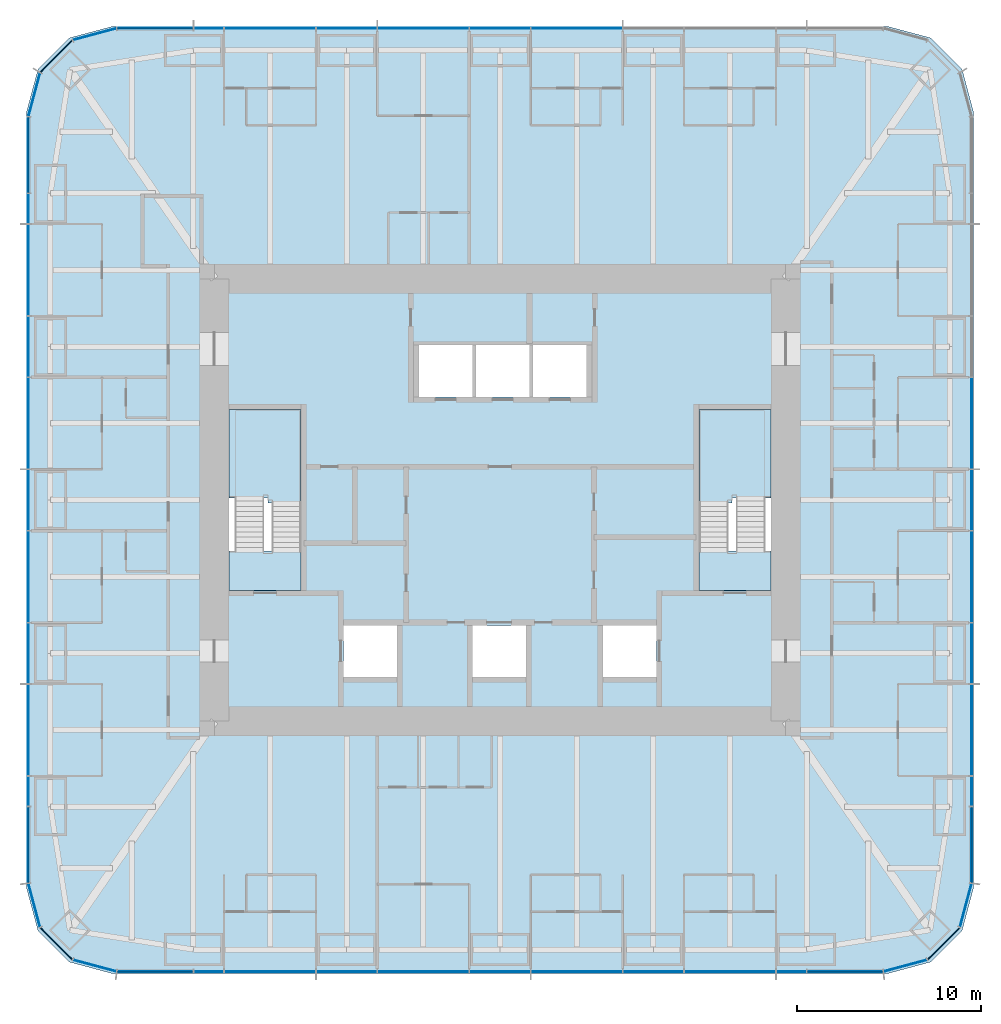
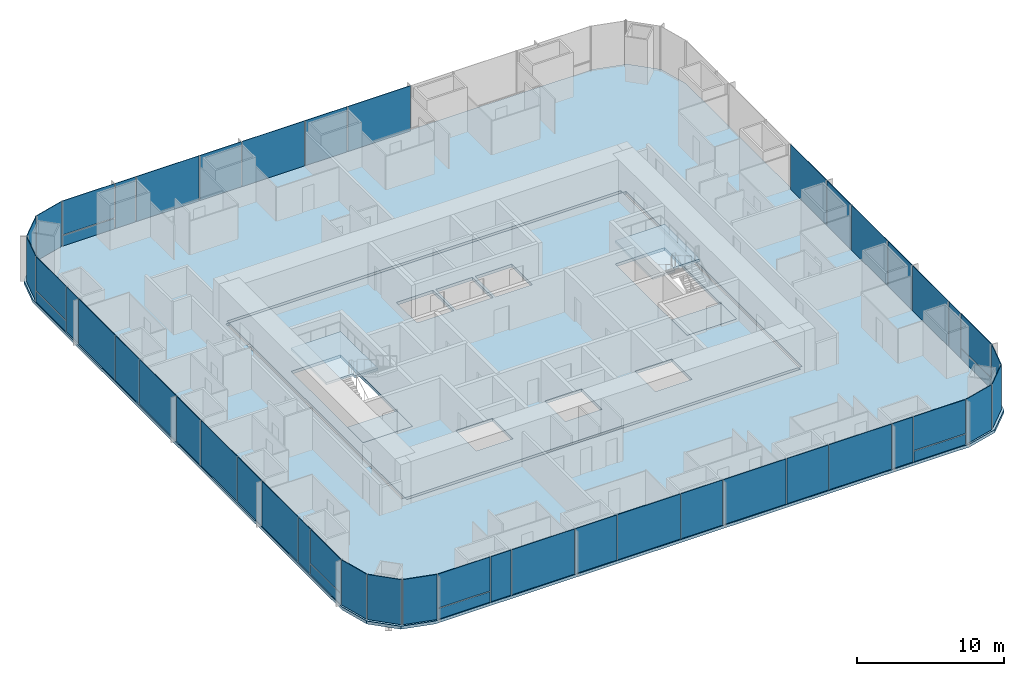
# One storey, part 7 of 13: 51 plates, 6 slabs, 9 elements without a shape of their own.
"""IFC4 building model written with IfcOpenShell, lengths in metres."""

from ifc_helpers import new_model, si_unit, direction, frame, origin, origin_2d, place, context, subcontext, project, spatial, polyline, rectangle, outline, extrude, material, layer, layer_set, type_object, element, aggregate, save


model = new_model("IFC4")

# Units and contexts
model_context = context("Model", 3, precision=1e-05, world=origin(), true_north=direction((0.0, 1.0)))
body_context = subcontext(model_context, "Body", "Model", "MODEL_VIEW")
ifc_project = project(units=[si_unit("LENGTHUNIT", "METRE"), si_unit("AREAUNIT", "SQUARE_METRE"), si_unit("VOLUMEUNIT", "CUBIC_METRE"), si_unit("PLANEANGLEUNIT", "RADIAN"), si_unit("MASSUNIT", "GRAM", prefix="KILO")], contexts=[model_context])

# Site, building, storey
site_placement = place(None, origin())
site = spatial("IfcSite", under=ifc_project, at=site_placement, CompositionType="ELEMENT")
building_placement = place(site_placement, origin())
building = spatial("IfcBuilding", under=site, at=building_placement, Name="Khuree Lantern Residences", CompositionType="ELEMENT")
storey_placement = place(building_placement, frame((0.0, 0.0, 263.25)))
storey = spatial("IfcBuildingStorey", under=building, at=storey_placement, Name="L66", CompositionType="ELEMENT", Elevation=263.25)

# Slab
ifc_material_1 = material(Name="Concrete C35/45", Category="concrete")
ifc_layer_1 = layer(ifc_material_1, 0.25)
ifc_layer_set_1 = layer_set([ifc_layer_1], Name="CFL250 CORE FLOOR SLAB 250")
slab_type_1 = type_object("IfcSlabType", Name="CFL250 CORE FLOOR SLAB 250", PredefinedType="FLOOR", material=ifc_layer_set_1)
slab_1_placement = place(storey_placement, frame((0.0, 0.0, -0.25)))
element("IfcSlab", 1, at=slab_1_placement, inside=storey, type_object=slab_type_1, Name="Core floor L66", PredefinedType="FLOOR", context=body_context, shape_type="SweptSolid", body=[
    extrude(outline(polyline([(-15.5, -12.0), (-15.5, 12.0), (15.5, 12.0), (15.5, -12.0), (-15.5, -12.0)]), holes=[polyline([(10.800048828125, 4.89990234375), (10.800048828125, -4.89990234375), (14.699951171875, -4.89990234375), (14.699951171875, 4.89990234375), (10.800048828125, 4.89990234375)]), polyline([(5.60009765625, -6.800048828125), (5.60009765625, -9.60009765625), (8.5, -9.60009765625), (8.5, -6.800048828125), (5.60009765625, -6.800048828125)]), polyline([(1.800048828125, 8.39990234375), (1.800048828125, 5.60009765625), (4.699951171875, 5.60009765625), (4.699951171875, 8.39990234375), (1.800048828125, 8.39990234375)]), polyline([(-1.300048828125, 8.39990234375), (-1.300048828125, 5.60009765625), (1.60009765625, 5.60009765625), (1.60009765625, 8.39990234375), (-1.300048828125, 8.39990234375)]), polyline([(-1.5, -6.800048828125), (-1.5, -9.60009765625), (1.39990234375, -9.60009765625), (1.39990234375, -6.800048828125), (-1.5, -6.800048828125)]), polyline([(-4.39990234375, 8.39990234375), (-4.39990234375, 5.60009765625), (-1.5, 5.60009765625), (-1.5, 8.39990234375), (-4.39990234375, 8.39990234375)]), polyline([(-8.5, -6.800048828125), (-8.5, -9.60009765625), (-5.60009765625, -9.60009765625), (-5.60009765625, -6.800048828125), (-8.5, -6.800048828125)]), polyline([(-14.699951171875, 4.89990234375), (-14.699951171875, -4.89990234375), (-10.800048828125, -4.89990234375), (-10.800048828125, 4.89990234375), (-14.699951171875, 4.89990234375)])]), origin(), (0.0, 0.0, 1.0), 0.25),
])

# Curtain wall, plates
ifc_material_2 = material(Name="Bronze anodised aluminium", Category="aluminium")
curtain_wall_type_1 = type_object("IfcCurtainWallType", Name="CW-T2 TOWER CORNER CURTAIN WALL", PredefinedType="USERDEFINED", material=ifc_material_2)
curtain_wall_1_placement = place(storey_placement, origin())
curtain_wall_1 = element("IfcCurtainWall", 2, at=curtain_wall_1_placement, inside=storey, type_object=curtain_wall_type_1, Name="L66 SOUTH-EAST CORNER CURTAIN WALL", ObjectType="Faceted corner curtain wall", PredefinedType="USERDEFINED")
ifc_material_3 = material(Name="Bronze tinted triple glazing", Category="glass")
ifc_layer_2 = layer(ifc_material_3, 0.048095703125)
ifc_layer_set_2 = layer_set([ifc_layer_2], Name="FACET PANEL P4")
plate_type_1 = type_object("IfcPlateType", Name="FACET PANEL P4", PredefinedType="CURTAIN_PANEL", material=ifc_layer_set_2)
plate_1_placement = place(storey_placement, frame((21.998046875, -25.279052734375, 0.0), z_axis=(0.0, 0.0, 1.0), x_axis=(0.965925832509, 0.258819021888, 0.0)))
plate_1 = element("IfcPlate", 3, at=plate_1_placement, type_object=plate_type_1, Name="L66 SOUTH-EAST CORNER PANEL 1.1", PredefinedType="CURTAIN_PANEL", context=body_context, shape_type="SweptSolid", body=[
    extrude(rectangle(XDim=2.40869140625, YDim=0.048095703125, at=origin_2d()), origin(), (0.0, 0.0, 1.0), 3.75),
])
plate_2_placement = place(storey_placement, frame((24.078369140625, -24.078369140625, 0.0), z_axis=(0.0, 0.0, 1.0), x_axis=(0.707106781187, 0.707106781187, 0.0)))
plate_2 = element("IfcPlate", 4, at=plate_2_placement, type_object=plate_type_1, Name="L66 SOUTH-EAST CORNER PANEL 2.1", PredefinedType="CURTAIN_PANEL", context=body_context, shape_type="SweptSolid", body=[
    extrude(rectangle(XDim=2.404541015625, YDim=0.048095703125, at=origin_2d()), origin(), (0.0, 0.0, 1.0), 3.75),
])
plate_3_placement = place(storey_placement, frame((25.279052734375, -21.998046875, 0.0), z_axis=(0.0, 0.0, 1.0), x_axis=(0.258819021888, 0.965925832509, 0.0)))
plate_3 = element("IfcPlate", 5, at=plate_3_placement, type_object=plate_type_1, Name="L66 SOUTH-EAST CORNER PANEL 3.1", PredefinedType="CURTAIN_PANEL", context=body_context, shape_type="SweptSolid", body=[
    extrude(rectangle(XDim=2.40869140625, YDim=0.048095703125, at=origin_2d()), origin(), (0.0, 0.0, 1.0), 3.75),
])
aggregate(curtain_wall_1, [plate_1, plate_2, plate_3])

curtain_wall_2_placement = place(storey_placement, origin())
curtain_wall_2 = element("IfcCurtainWall", 6, at=curtain_wall_2_placement, inside=storey, type_object=curtain_wall_type_1, Name="L66 NORTH-WEST CORNER CURTAIN WALL", ObjectType="Faceted corner curtain wall", PredefinedType="USERDEFINED")
plate_4_placement = place(storey_placement, frame((-21.998046875, 25.279052734375, 0.0), z_axis=(0.0, 0.0, 1.0), x_axis=(-0.965925832509, -0.258819021888, 0.0)))
plate_4 = element("IfcPlate", 7, at=plate_4_placement, type_object=plate_type_1, Name="L66 NORTH-WEST CORNER PANEL 29.1", PredefinedType="CURTAIN_PANEL", context=body_context, shape_type="SweptSolid", body=[
    extrude(rectangle(XDim=2.40869140625, YDim=0.048095703125, at=origin_2d()), origin(), (0.0, 0.0, 1.0), 3.75),
])
plate_5_placement = place(storey_placement, frame((-24.078369140625, 24.078369140625, 0.0), z_axis=(0.0, 0.0, 1.0), x_axis=(-0.707106781187, -0.707106781187, 0.0)))
plate_5 = element("IfcPlate", 8, at=plate_5_placement, type_object=plate_type_1, Name="L66 NORTH-WEST CORNER PANEL 30.1", PredefinedType="CURTAIN_PANEL", context=body_context, shape_type="SweptSolid", body=[
    extrude(rectangle(XDim=2.404541015625, YDim=0.048095703125, at=origin_2d()), origin(), (0.0, 0.0, 1.0), 3.75),
])
plate_6_placement = place(storey_placement, frame((-25.279052734375, 21.998046875, 0.0), z_axis=(0.0, 0.0, 1.0), x_axis=(-0.258819021888, -0.965925832509, 0.0)))
plate_6 = element("IfcPlate", 9, at=plate_6_placement, type_object=plate_type_1, Name="L66 NORTH-WEST CORNER PANEL 31.1", PredefinedType="CURTAIN_PANEL", context=body_context, shape_type="SweptSolid", body=[
    extrude(rectangle(XDim=2.40869140625, YDim=0.048095703125, at=origin_2d()), origin(), (0.0, 0.0, 1.0), 3.75),
])
aggregate(curtain_wall_2, [plate_4, plate_5, plate_6])

curtain_wall_3_placement = place(storey_placement, origin())
curtain_wall_3 = element("IfcCurtainWall", 10, at=curtain_wall_3_placement, inside=storey, type_object=curtain_wall_type_1, Name="L66 SOUTH-WEST CORNER CURTAIN WALL", ObjectType="Faceted corner curtain wall", PredefinedType="USERDEFINED")
plate_7_placement = place(storey_placement, frame((-25.279052734375, -21.998046875, 0.0), z_axis=(0.0, 0.0, 1.0), x_axis=(0.258819021888, -0.965925832509, 0.0)))
plate_7 = element("IfcPlate", 11, at=plate_7_placement, type_object=plate_type_1, Name="L66 SOUTH-WEST CORNER PANEL 43.1", PredefinedType="CURTAIN_PANEL", context=body_context, shape_type="SweptSolid", body=[
    extrude(rectangle(XDim=2.40869140625, YDim=0.048095703125, at=origin_2d()), origin(), (0.0, 0.0, 1.0), 3.75),
])
plate_8_placement = place(storey_placement, frame((-24.078369140625, -24.078369140625, 0.0), z_axis=(0.0, 0.0, 1.0), x_axis=(0.707106781187, -0.707106781187, 0.0)))
plate_8 = element("IfcPlate", 12, at=plate_8_placement, type_object=plate_type_1, Name="L66 SOUTH-WEST CORNER PANEL 44.1", PredefinedType="CURTAIN_PANEL", context=body_context, shape_type="SweptSolid", body=[
    extrude(rectangle(XDim=2.404541015625, YDim=0.048095703125, at=origin_2d()), origin(), (0.0, 0.0, 1.0), 3.75),
])
plate_9_placement = place(storey_placement, frame((-21.998046875, -25.279052734375, 0.0), z_axis=(0.0, 0.0, 1.0), x_axis=(0.965925832509, -0.258819021888, 0.0)))
plate_9 = element("IfcPlate", 13, at=plate_9_placement, type_object=plate_type_1, Name="L66 SOUTH-WEST CORNER PANEL 45.1", PredefinedType="CURTAIN_PANEL", context=body_context, shape_type="SweptSolid", body=[
    extrude(rectangle(XDim=2.40869140625, YDim=0.048095703125, at=origin_2d()), origin(), (0.0, 0.0, 1.0), 3.75),
])
aggregate(curtain_wall_3, [plate_7, plate_8, plate_9])

curtain_wall_type_2 = type_object("IfcCurtainWallType", Name="CW-T1 TOWER FACE CURTAIN WALL", PredefinedType="USERDEFINED", material=ifc_material_2)
curtain_wall_4_placement = place(storey_placement, origin())
curtain_wall_4 = element("IfcCurtainWall", 14, at=curtain_wall_4_placement, inside=storey, type_object=curtain_wall_type_2, Name="L66 EAST FACE CURTAIN WALL", ObjectType="Stick-built curtain wall", PredefinedType="USERDEFINED")
ifc_material_4 = material(Name="Bronze tinted triple glazing with a ceramic-fritted spandrel band", Category="glass")
ifc_layer_3 = layer(ifc_material_4, 0.048095703125)
ifc_layer_set_3 = layer_set([ifc_layer_3], Name="FIXED LIGHT PANEL P11")
plate_type_2 = type_object("IfcPlateType", Name="FIXED LIGHT PANEL P11", PredefinedType="CURTAIN_PANEL", material=ifc_layer_set_3)
plate_10_placement = place(storey_placement, frame((25.60009765625, -12.47998046875, 0.0), z_axis=(0.0, 0.0, 1.0), x_axis=(0.0, 1.0, 0.0)))
plate_10 = element("IfcPlate", 15, at=plate_10_placement, type_object=plate_type_2, Name="L66 EAST FACE PANEL 6.1", PredefinedType="CURTAIN_PANEL", context=body_context, shape_type="SweptSolid", body=[
    extrude(rectangle(XDim=4.927001953125, YDim=0.048095703125, at=origin_2d()), origin(), (0.0, 0.0, 1.0), 3.75),
])
plate_11_placement = place(storey_placement, frame((25.60009765625, -4.159912109375, 0.0), z_axis=(0.0, 0.0, 1.0), x_axis=(0.0, 1.0, 0.0)))
plate_11 = element("IfcPlate", 16, at=plate_11_placement, type_object=plate_type_2, Name="L66 EAST FACE PANEL 8.1", PredefinedType="CURTAIN_PANEL", context=body_context, shape_type="SweptSolid", body=[
    extrude(rectangle(XDim=4.927001953125, YDim=0.048095703125, at=origin_2d()), origin(), (0.0, 0.0, 1.0), 3.75),
])
plate_12_placement = place(storey_placement, frame((25.60009765625, 4.159912109375, 0.0), z_axis=(0.0, 0.0, 1.0), x_axis=(0.0, 1.0, 0.0)))
plate_12 = element("IfcPlate", 17, at=plate_12_placement, type_object=plate_type_2, Name="L66 EAST FACE PANEL 10.1", PredefinedType="CURTAIN_PANEL", context=body_context, shape_type="SweptSolid", body=[
    extrude(rectangle(XDim=4.927001953125, YDim=0.048095703125, at=origin_2d()), origin(), (0.0, 0.0, 1.0), 3.75),
])

curtain_wall_5_placement = place(storey_placement, origin())
curtain_wall_5 = element("IfcCurtainWall", 18, at=curtain_wall_5_placement, inside=storey, type_object=curtain_wall_type_2, Name="L66 NORTH FACE CURTAIN WALL", ObjectType="Stick-built curtain wall", PredefinedType="USERDEFINED")
plate_13_placement = place(storey_placement, frame((4.159912109375, 25.60009765625, 0.0), z_axis=(0.0, 0.0, 1.0), x_axis=(-1.0, 0.0, 0.0)))
plate_13 = element("IfcPlate", 19, at=plate_13_placement, type_object=plate_type_2, Name="L66 NORTH FACE PANEL 22.1", PredefinedType="CURTAIN_PANEL", context=body_context, shape_type="SweptSolid", body=[
    extrude(rectangle(XDim=4.927001953125, YDim=0.048095703125, at=origin_2d()), origin(), (0.0, 0.0, 1.0), 3.75),
])
plate_14_placement = place(storey_placement, frame((-4.159912109375, 25.60009765625, 0.0), z_axis=(0.0, 0.0, 1.0), x_axis=(-1.0, 0.0, 0.0)))
plate_14 = element("IfcPlate", 20, at=plate_14_placement, type_object=plate_type_2, Name="L66 NORTH FACE PANEL 24.1", PredefinedType="CURTAIN_PANEL", context=body_context, shape_type="SweptSolid", body=[
    extrude(rectangle(XDim=4.927001953125, YDim=0.048095703125, at=origin_2d()), origin(), (0.0, 0.0, 1.0), 3.75),
])
plate_15_placement = place(storey_placement, frame((-12.47998046875, 25.60009765625, 0.0), z_axis=(0.0, 0.0, 1.0), x_axis=(-1.0, 0.0, 0.0)))
plate_15 = element("IfcPlate", 21, at=plate_15_placement, type_object=plate_type_2, Name="L66 NORTH FACE PANEL 26.1", PredefinedType="CURTAIN_PANEL", context=body_context, shape_type="SweptSolid", body=[
    extrude(rectangle(XDim=4.927001953125, YDim=0.048095703125, at=origin_2d()), origin(), (0.0, 0.0, 1.0), 3.75),
])

curtain_wall_6_placement = place(storey_placement, origin())
curtain_wall_6 = element("IfcCurtainWall", 22, at=curtain_wall_6_placement, inside=storey, type_object=curtain_wall_type_2, Name="L66 WEST FACE CURTAIN WALL", ObjectType="Stick-built curtain wall", PredefinedType="USERDEFINED")
plate_16_placement = place(storey_placement, frame((-25.60009765625, 12.47998046875, 0.0), z_axis=(0.0, 0.0, 1.0), x_axis=(0.0, -1.0, 0.0)))
plate_16 = element("IfcPlate", 23, at=plate_16_placement, type_object=plate_type_2, Name="L66 WEST FACE PANEL 34.1", PredefinedType="CURTAIN_PANEL", context=body_context, shape_type="SweptSolid", body=[
    extrude(rectangle(XDim=4.927001953125, YDim=0.048095703125, at=origin_2d()), origin(), (0.0, 0.0, 1.0), 3.75),
])
plate_17_placement = place(storey_placement, frame((-25.60009765625, 4.159912109375, 0.0), z_axis=(0.0, 0.0, 1.0), x_axis=(0.0, -1.0, 0.0)))
plate_17 = element("IfcPlate", 24, at=plate_17_placement, type_object=plate_type_2, Name="L66 WEST FACE PANEL 36.1", PredefinedType="CURTAIN_PANEL", context=body_context, shape_type="SweptSolid", body=[
    extrude(rectangle(XDim=4.927001953125, YDim=0.048095703125, at=origin_2d()), origin(), (0.0, 0.0, 1.0), 3.75),
])
plate_18_placement = place(storey_placement, frame((-25.60009765625, -4.159912109375, 0.0), z_axis=(0.0, 0.0, 1.0), x_axis=(0.0, -1.0, 0.0)))
plate_18 = element("IfcPlate", 25, at=plate_18_placement, type_object=plate_type_2, Name="L66 WEST FACE PANEL 38.1", PredefinedType="CURTAIN_PANEL", context=body_context, shape_type="SweptSolid", body=[
    extrude(rectangle(XDim=4.927001953125, YDim=0.048095703125, at=origin_2d()), origin(), (0.0, 0.0, 1.0), 3.75),
])
plate_19_placement = place(storey_placement, frame((-25.60009765625, -12.47998046875, 0.0), z_axis=(0.0, 0.0, 1.0), x_axis=(0.0, -1.0, 0.0)))
plate_19 = element("IfcPlate", 26, at=plate_19_placement, type_object=plate_type_2, Name="L66 WEST FACE PANEL 40.1", PredefinedType="CURTAIN_PANEL", context=body_context, shape_type="SweptSolid", body=[
    extrude(rectangle(XDim=4.927001953125, YDim=0.048095703125, at=origin_2d()), origin(), (0.0, 0.0, 1.0), 3.75),
])

curtain_wall_7_placement = place(storey_placement, origin())
curtain_wall_7 = element("IfcCurtainWall", 27, at=curtain_wall_7_placement, inside=storey, type_object=curtain_wall_type_2, Name="L66 SOUTH FACE CURTAIN WALL", ObjectType="Stick-built curtain wall", PredefinedType="USERDEFINED")
plate_20_placement = place(storey_placement, frame((-12.47998046875, -25.60009765625, 0.0), z_axis=(0.0, 0.0, 1.0), x_axis=(1.0, 0.0, 0.0)))
plate_20 = element("IfcPlate", 28, at=plate_20_placement, type_object=plate_type_2, Name="L66 SOUTH FACE PANEL 48.1", PredefinedType="CURTAIN_PANEL", context=body_context, shape_type="SweptSolid", body=[
    extrude(rectangle(XDim=4.927001953125, YDim=0.048095703125, at=origin_2d()), origin(), (0.0, 0.0, 1.0), 3.75),
])
plate_21_placement = place(storey_placement, frame((-4.159912109375, -25.60009765625, 0.0), z_axis=(0.0, 0.0, 1.0), x_axis=(1.0, 0.0, 0.0)))
plate_21 = element("IfcPlate", 29, at=plate_21_placement, type_object=plate_type_2, Name="L66 SOUTH FACE PANEL 50.1", PredefinedType="CURTAIN_PANEL", context=body_context, shape_type="SweptSolid", body=[
    extrude(rectangle(XDim=4.927001953125, YDim=0.048095703125, at=origin_2d()), origin(), (0.0, 0.0, 1.0), 3.75),
])
plate_22_placement = place(storey_placement, frame((4.159912109375, -25.60009765625, 0.0), z_axis=(0.0, 0.0, 1.0), x_axis=(1.0, 0.0, 0.0)))
plate_22 = element("IfcPlate", 30, at=plate_22_placement, type_object=plate_type_2, Name="L66 SOUTH FACE PANEL 52.1", PredefinedType="CURTAIN_PANEL", context=body_context, shape_type="SweptSolid", body=[
    extrude(rectangle(XDim=4.927001953125, YDim=0.048095703125, at=origin_2d()), origin(), (0.0, 0.0, 1.0), 3.75),
])
plate_23_placement = place(storey_placement, frame((12.47998046875, -25.60009765625, 0.0), z_axis=(0.0, 0.0, 1.0), x_axis=(1.0, 0.0, 0.0)))
plate_23 = element("IfcPlate", 31, at=plate_23_placement, type_object=plate_type_2, Name="L66 SOUTH FACE PANEL 54.1", PredefinedType="CURTAIN_PANEL", context=body_context, shape_type="SweptSolid", body=[
    extrude(rectangle(XDim=4.927001953125, YDim=0.048095703125, at=origin_2d()), origin(), (0.0, 0.0, 1.0), 3.75),
])

# Slab
ifc_layer_4 = layer(ifc_material_1, 0.25)
ifc_layer_set_4 = layer_set([ifc_layer_4], Name="FS250 FLOOR SLAB 250")
slab_type_2 = type_object("IfcSlabType", Name="FS250 FLOOR SLAB 250", PredefinedType="FLOOR", material=ifc_layer_set_4)
slab_2_placement = place(storey_placement, frame((0.0, 0.0, -0.25)))
element("IfcSlab", 32, at=slab_2_placement, inside=storey, type_object=slab_type_2, Name="Floor slab L66", PredefinedType="FLOOR", context=body_context, shape_type="SweptSolid", body=[
    extrude(outline(polyline([(-23.375, -25.076904296875), (-25.076904296875, -23.375), (-25.699951171875, -21.050048828125), (-25.699951171875, 21.050048828125), (-25.076904296875, 23.375), (-23.375, 25.076904296875), (-21.050048828125, 25.699951171875), (21.050048828125, 25.699951171875), (23.375, 25.076904296875), (25.076904296875, 23.375), (25.699951171875, 21.050048828125), (25.699951171875, -21.050048828125), (25.076904296875, -23.375), (23.375, -25.076904296875), (21.050048828125, -25.699951171875), (-21.050048828125, -25.699951171875), (-23.375, -25.076904296875)]), holes=[polyline([(15.75, 12.0), (15.5, 12.0), (15.5, 12.25), (-15.5, 12.25), (-15.5, 12.0), (-15.75, 12.0), (-15.75, -12.0), (-15.5, -12.0), (-15.5, -12.25), (15.5, -12.25), (15.5, -12.0), (15.75, -12.0), (15.75, 12.0)])]), origin(), (0.0, 0.0, 1.0), 0.25),
])

# Plate
ifc_material_5 = material(Name="Bronze tinted triple glazing, two aluminium-framed sashes in one frame", Category="aluminium")
ifc_layer_5 = layer(ifc_material_5, 0.048095703125)
ifc_layer_set_5 = layer_set([ifc_layer_5], Name="SASH PAIR PANEL P12")
plate_type_3 = type_object("IfcPlateType", Name="SASH PAIR PANEL P12", PredefinedType="CURTAIN_PANEL", material=ifc_layer_set_5)
plate_24_placement = place(storey_placement, frame((25.60009765625, -8.320068359375, 0.0), z_axis=(0.0, 0.0, 1.0), x_axis=(0.0, 1.0, 0.0)))
plate_24 = element("IfcPlate", 33, at=plate_24_placement, type_object=plate_type_3, Name="L66 EAST FACE PANEL 7.1", PredefinedType="CURTAIN_PANEL", context=body_context, shape_type="SweptSolid", body=[
    extrude(rectangle(XDim=3.262939453125, YDim=0.048095703125, at=origin_2d()), origin(), (0.0, 0.0, 1.0), 3.75),
])

plate_25_placement = place(storey_placement, frame((25.60009765625, 0.0, 0.0), z_axis=(0.0, 0.0, 1.0), x_axis=(0.0, 1.0, 0.0)))
plate_25 = element("IfcPlate", 34, at=plate_25_placement, type_object=plate_type_3, Name="L66 EAST FACE PANEL 9.1", PredefinedType="CURTAIN_PANEL", context=body_context, shape_type="SweptSolid", body=[
    extrude(rectangle(XDim=3.262939453125, YDim=0.048095703125, at=origin_2d()), origin(), (0.0, 0.0, 1.0), 3.75),
])

plate_26_placement = place(storey_placement, frame((0.0, 25.60009765625, 0.0), z_axis=(0.0, 0.0, 1.0), x_axis=(-1.0, 0.0, 0.0)))
plate_26 = element("IfcPlate", 35, at=plate_26_placement, type_object=plate_type_3, Name="L66 NORTH FACE PANEL 23.1", PredefinedType="CURTAIN_PANEL", context=body_context, shape_type="SweptSolid", body=[
    extrude(rectangle(XDim=3.262939453125, YDim=0.048095703125, at=origin_2d()), origin(), (0.0, 0.0, 1.0), 3.75),
])

plate_27_placement = place(storey_placement, frame((-8.320068359375, 25.60009765625, 0.0), z_axis=(0.0, 0.0, 1.0), x_axis=(-1.0, 0.0, 0.0)))
plate_27 = element("IfcPlate", 36, at=plate_27_placement, type_object=plate_type_3, Name="L66 NORTH FACE PANEL 25.1", PredefinedType="CURTAIN_PANEL", context=body_context, shape_type="SweptSolid", body=[
    extrude(rectangle(XDim=3.262939453125, YDim=0.048095703125, at=origin_2d()), origin(), (0.0, 0.0, 1.0), 3.75),
])

plate_28_placement = place(storey_placement, frame((-25.60009765625, 8.320068359375, 0.0), z_axis=(0.0, 0.0, 1.0), x_axis=(0.0, -1.0, 0.0)))
plate_28 = element("IfcPlate", 37, at=plate_28_placement, type_object=plate_type_3, Name="L66 WEST FACE PANEL 35.1", PredefinedType="CURTAIN_PANEL", context=body_context, shape_type="SweptSolid", body=[
    extrude(rectangle(XDim=3.262939453125, YDim=0.048095703125, at=origin_2d()), origin(), (0.0, 0.0, 1.0), 3.75),
])

plate_29_placement = place(storey_placement, frame((-25.60009765625, 0.0, 0.0), z_axis=(0.0, 0.0, 1.0), x_axis=(0.0, -1.0, 0.0)))
plate_29 = element("IfcPlate", 38, at=plate_29_placement, type_object=plate_type_3, Name="L66 WEST FACE PANEL 37.1", PredefinedType="CURTAIN_PANEL", context=body_context, shape_type="SweptSolid", body=[
    extrude(rectangle(XDim=3.262939453125, YDim=0.048095703125, at=origin_2d()), origin(), (0.0, 0.0, 1.0), 3.75),
])

plate_30_placement = place(storey_placement, frame((-25.60009765625, -8.320068359375, 0.0), z_axis=(0.0, 0.0, 1.0), x_axis=(0.0, -1.0, 0.0)))
plate_30 = element("IfcPlate", 39, at=plate_30_placement, type_object=plate_type_3, Name="L66 WEST FACE PANEL 39.1", PredefinedType="CURTAIN_PANEL", context=body_context, shape_type="SweptSolid", body=[
    extrude(rectangle(XDim=3.262939453125, YDim=0.048095703125, at=origin_2d()), origin(), (0.0, 0.0, 1.0), 3.75),
])

plate_31_placement = place(storey_placement, frame((-8.320068359375, -25.60009765625, 0.0), z_axis=(0.0, 0.0, 1.0), x_axis=(1.0, 0.0, 0.0)))
plate_31 = element("IfcPlate", 40, at=plate_31_placement, type_object=plate_type_3, Name="L66 SOUTH FACE PANEL 49.1", PredefinedType="CURTAIN_PANEL", context=body_context, shape_type="SweptSolid", body=[
    extrude(rectangle(XDim=3.262939453125, YDim=0.048095703125, at=origin_2d()), origin(), (0.0, 0.0, 1.0), 3.75),
])

plate_32_placement = place(storey_placement, frame((0.0, -25.60009765625, 0.0), z_axis=(0.0, 0.0, 1.0), x_axis=(1.0, 0.0, 0.0)))
plate_32 = element("IfcPlate", 41, at=plate_32_placement, type_object=plate_type_3, Name="L66 SOUTH FACE PANEL 51.1", PredefinedType="CURTAIN_PANEL", context=body_context, shape_type="SweptSolid", body=[
    extrude(rectangle(XDim=3.262939453125, YDim=0.048095703125, at=origin_2d()), origin(), (0.0, 0.0, 1.0), 3.75),
])

plate_33_placement = place(storey_placement, frame((8.320068359375, -25.60009765625, 0.0), z_axis=(0.0, 0.0, 1.0), x_axis=(1.0, 0.0, 0.0)))
plate_33 = element("IfcPlate", 42, at=plate_33_placement, type_object=plate_type_3, Name="L66 SOUTH FACE PANEL 53.1", PredefinedType="CURTAIN_PANEL", context=body_context, shape_type="SweptSolid", body=[
    extrude(rectangle(XDim=3.262939453125, YDim=0.048095703125, at=origin_2d()), origin(), (0.0, 0.0, 1.0), 3.75),
])

ifc_material_6 = material(Name="Bronze tinted triple glazing, aluminium-framed sash", Category="aluminium")
ifc_layer_6 = layer(ifc_material_6, 0.048095703125)
ifc_layer_set_6 = layer_set([ifc_layer_6], Name="SASH PANEL P3")
plate_type_4 = type_object("IfcPlateType", Name="SASH PANEL P3", PredefinedType="CURTAIN_PANEL", material=ifc_layer_set_6)
plate_34_placement = place(storey_placement, frame((25.60009765625, -15.80810546875, 0.0), z_axis=(0.0, 0.0, 1.0), x_axis=(0.0, 1.0, 0.0)))
plate_34 = element("IfcPlate", 43, at=plate_34_placement, type_object=plate_type_4, Name="L66 EAST FACE PANEL 5.1", PredefinedType="CURTAIN_PANEL", context=body_context, shape_type="SweptSolid", body=[
    extrude(rectangle(XDim=1.59912109375, YDim=0.048095703125, at=origin_2d()), origin(), (0.0, 0.0, 1.0), 3.75),
])

plate_35_placement = place(storey_placement, frame((-15.80810546875, 25.60009765625, 0.0), z_axis=(0.0, 0.0, 1.0), x_axis=(-1.0, 0.0, 0.0)))
plate_35 = element("IfcPlate", 44, at=plate_35_placement, type_object=plate_type_4, Name="L66 NORTH FACE PANEL 27.1", PredefinedType="CURTAIN_PANEL", context=body_context, shape_type="SweptSolid", body=[
    extrude(rectangle(XDim=1.59912109375, YDim=0.048095703125, at=origin_2d()), origin(), (0.0, 0.0, 1.0), 3.75),
])

plate_36_placement = place(storey_placement, frame((-25.60009765625, 15.80810546875, 0.0), z_axis=(0.0, 0.0, 1.0), x_axis=(0.0, -1.0, 0.0)))
plate_36 = element("IfcPlate", 45, at=plate_36_placement, type_object=plate_type_4, Name="L66 WEST FACE PANEL 33.1", PredefinedType="CURTAIN_PANEL", context=body_context, shape_type="SweptSolid", body=[
    extrude(rectangle(XDim=1.59912109375, YDim=0.048095703125, at=origin_2d()), origin(), (0.0, 0.0, 1.0), 3.75),
])

plate_37_placement = place(storey_placement, frame((-25.60009765625, -15.80810546875, 0.0), z_axis=(0.0, 0.0, 1.0), x_axis=(0.0, -1.0, 0.0)))
plate_37 = element("IfcPlate", 46, at=plate_37_placement, type_object=plate_type_4, Name="L66 WEST FACE PANEL 41.1", PredefinedType="CURTAIN_PANEL", context=body_context, shape_type="SweptSolid", body=[
    extrude(rectangle(XDim=1.59912109375, YDim=0.048095703125, at=origin_2d()), origin(), (0.0, 0.0, 1.0), 3.75),
])

plate_38_placement = place(storey_placement, frame((-15.80810546875, -25.60009765625, 0.0), z_axis=(0.0, 0.0, 1.0), x_axis=(1.0, 0.0, 0.0)))
plate_38 = element("IfcPlate", 47, at=plate_38_placement, type_object=plate_type_4, Name="L66 SOUTH FACE PANEL 47.1", PredefinedType="CURTAIN_PANEL", context=body_context, shape_type="SweptSolid", body=[
    extrude(rectangle(XDim=1.59912109375, YDim=0.048095703125, at=origin_2d()), origin(), (0.0, 0.0, 1.0), 3.75),
])

plate_39_placement = place(storey_placement, frame((15.80810546875, -25.60009765625, 0.0), z_axis=(0.0, 0.0, 1.0), x_axis=(1.0, 0.0, 0.0)))
plate_39 = element("IfcPlate", 48, at=plate_39_placement, type_object=plate_type_4, Name="L66 SOUTH FACE PANEL 55.1", PredefinedType="CURTAIN_PANEL", context=body_context, shape_type="SweptSolid", body=[
    extrude(rectangle(XDim=1.59912109375, YDim=0.048095703125, at=origin_2d()), origin(), (0.0, 0.0, 1.0), 3.75),
])

ifc_material_7 = material(Name="Bronze anodised aluminium insulated spandrel", Category="aluminium")
ifc_layer_7 = layer(ifc_material_7, 0.06005859375)
ifc_layer_set_7 = layer_set([ifc_layer_7], Name="SPANDREL PANEL P2")
plate_type_5 = type_object("IfcPlateType", Name="SPANDREL PANEL P2", PredefinedType="CURTAIN_PANEL", material=ifc_layer_set_7)
plate_40_placement = place(storey_placement, frame((25.60009765625, -18.7177734375, 0.0), z_axis=(0.0, 0.0, 1.0), x_axis=(0.0, 1.0, 0.0)))
plate_40 = element("IfcPlate", 49, at=plate_40_placement, type_object=plate_type_5, Name="L66 EAST FACE PANEL 4.1", PredefinedType="CURTAIN_PANEL", context=body_context, shape_type="SweptSolid", body=[
    extrude(rectangle(XDim=4.0908203125, YDim=0.06005859375, at=origin_2d()), origin(), (0.0, 0.0, 1.0), 0.867431640625),
])

plate_41_placement = place(storey_placement, frame((-18.7177734375, 25.60009765625, 0.0), z_axis=(0.0, 0.0, 1.0), x_axis=(-1.0, 0.0, 0.0)))
plate_41 = element("IfcPlate", 50, at=plate_41_placement, type_object=plate_type_5, Name="L66 NORTH FACE PANEL 28.1", PredefinedType="CURTAIN_PANEL", context=body_context, shape_type="SweptSolid", body=[
    extrude(rectangle(XDim=4.0908203125, YDim=0.06005859375, at=origin_2d()), origin(), (0.0, 0.0, 1.0), 0.867431640625),
])

plate_42_placement = place(storey_placement, frame((-25.60009765625, 18.7177734375, 0.0), z_axis=(0.0, 0.0, 1.0), x_axis=(0.0, -1.0, 0.0)))
plate_42 = element("IfcPlate", 51, at=plate_42_placement, type_object=plate_type_5, Name="L66 WEST FACE PANEL 32.1", PredefinedType="CURTAIN_PANEL", context=body_context, shape_type="SweptSolid", body=[
    extrude(rectangle(XDim=4.0908203125, YDim=0.06005859375, at=origin_2d()), origin(), (0.0, 0.0, 1.0), 0.867431640625),
])

plate_43_placement = place(storey_placement, frame((-25.60009765625, -18.7177734375, 0.0), z_axis=(0.0, 0.0, 1.0), x_axis=(0.0, -1.0, 0.0)))
plate_43 = element("IfcPlate", 52, at=plate_43_placement, type_object=plate_type_5, Name="L66 WEST FACE PANEL 42.1", PredefinedType="CURTAIN_PANEL", context=body_context, shape_type="SweptSolid", body=[
    extrude(rectangle(XDim=4.0908203125, YDim=0.06005859375, at=origin_2d()), origin(), (0.0, 0.0, 1.0), 0.867431640625),
])

plate_44_placement = place(storey_placement, frame((-18.7177734375, -25.60009765625, 0.0), z_axis=(0.0, 0.0, 1.0), x_axis=(1.0, 0.0, 0.0)))
plate_44 = element("IfcPlate", 53, at=plate_44_placement, type_object=plate_type_5, Name="L66 SOUTH FACE PANEL 46.1", PredefinedType="CURTAIN_PANEL", context=body_context, shape_type="SweptSolid", body=[
    extrude(rectangle(XDim=4.0908203125, YDim=0.06005859375, at=origin_2d()), origin(), (0.0, 0.0, 1.0), 0.867431640625),
])

plate_45_placement = place(storey_placement, frame((18.7177734375, -25.60009765625, 0.0), z_axis=(0.0, 0.0, 1.0), x_axis=(1.0, 0.0, 0.0)))
plate_45 = element("IfcPlate", 54, at=plate_45_placement, type_object=plate_type_5, Name="L66 SOUTH FACE PANEL 56.1", PredefinedType="CURTAIN_PANEL", context=body_context, shape_type="SweptSolid", body=[
    extrude(rectangle(XDim=4.0908203125, YDim=0.06005859375, at=origin_2d()), origin(), (0.0, 0.0, 1.0), 0.867431640625),
])

# Stair, slabs
ifc_material_8 = material(Name="Concrete C40/50", Category="concrete")
stair_type = type_object("IfcStairType", Name="STAIR ST1 HALF TURN 3600", PredefinedType="HALF_TURN_STAIR", material=ifc_material_8)
stair_1_placement = place(storey_placement, origin())
stair_1 = element("IfcStair", 55, at=stair_1_placement, inside=storey, type_object=stair_type, Name="Stair ST1", PredefinedType="HALF_TURN_STAIR")
ifc_layer_8 = layer(ifc_material_8, 0.199951171875)
ifc_layer_set_8 = layer_set([ifc_layer_8], Name="STAIR LANDING SL1 200")
slab_type_3 = type_object("IfcSlabType", Name="STAIR LANDING SL1 200", PredefinedType="LANDING", material=ifc_layer_set_8)
slab_3_placement = place(storey_placement, frame((0.0, 0.0, -0.199951171875)))
slab_3 = element("IfcSlab", 56, at=slab_3_placement, type_object=slab_type_3, Name="ST1 landing 1", PredefinedType="LANDING", context=body_context, shape_type="SweptSolid", body=[
    extrude(outline(polyline([(-14.699951171875, -4.89990234375), (-10.800048828125, -4.89990234375), (-10.800048828125, -2.760009765625), (-14.699951171875, -2.760009765625), (-14.699951171875, -4.89990234375)])), origin(), (0.0, 0.0, 1.0), 0.199951171875),
])
slab_4_placement = place(storey_placement, frame((0.0, 0.0, 1.756591796875)))
slab_4 = element("IfcSlab", 57, at=slab_4_placement, type_object=slab_type_3, Name="ST1 landing 2", PredefinedType="LANDING", context=body_context, shape_type="SweptSolid", body=[
    extrude(outline(polyline([(-14.699951171875, 0.1201171875), (-14.699951171875, 4.89990234375), (-10.800048828125, 4.89990234375), (-10.800048828125, -0.159912109375), (-12.60009765625, -0.159912109375), (-12.60009765625, 0.1201171875), (-14.699951171875, 0.1201171875)])), origin(), (0.0, 0.0, 1.0), 0.199951171875),
])
aggregate(stair_1, [slab_3, slab_4])

stair_2_placement = place(storey_placement, origin())
stair_2 = element("IfcStair", 58, at=stair_2_placement, inside=storey, type_object=stair_type, Name="Stair ST2", PredefinedType="HALF_TURN_STAIR")
slab_5_placement = place(storey_placement, frame((0.0, 0.0, -0.199951171875)))
slab_5 = element("IfcSlab", 59, at=slab_5_placement, type_object=slab_type_3, Name="ST2 landing 1", PredefinedType="LANDING", context=body_context, shape_type="SweptSolid", body=[
    extrude(outline(polyline([(10.800048828125, -4.89990234375), (14.699951171875, -4.89990234375), (14.699951171875, -2.760009765625), (10.800048828125, -2.760009765625), (10.800048828125, -4.89990234375)])), origin(), (0.0, 0.0, 1.0), 0.199951171875),
])
slab_6_placement = place(storey_placement, frame((0.0, 0.0, 1.756591796875)))
slab_6 = element("IfcSlab", 60, at=slab_6_placement, type_object=slab_type_3, Name="ST2 landing 2", PredefinedType="LANDING", context=body_context, shape_type="SweptSolid", body=[
    extrude(outline(polyline([(14.699951171875, 4.89990234375), (14.699951171875, 0.1201171875), (12.60009765625, 0.1201171875), (12.60009765625, -0.159912109375), (10.800048828125, -0.159912109375), (10.800048828125, 4.89990234375), (14.699951171875, 4.89990234375)])), origin(), (0.0, 0.0, 1.0), 0.199951171875),
])
aggregate(stair_2, [slab_5, slab_6])

# Plate
ifc_layer_9 = layer(ifc_material_3, 0.048095703125)
ifc_layer_set_9 = layer_set([ifc_layer_9], Name="VISION PANEL P1")
plate_type_6 = type_object("IfcPlateType", Name="VISION PANEL P1", PredefinedType="CURTAIN_PANEL", material=ifc_layer_set_9)
plate_46_placement = place(storey_placement, frame((25.60009765625, -18.71826171875, 0.9326171875), z_axis=(0.0, 0.0, 1.0), x_axis=(0.0, 1.0, 0.0)))
plate_46 = element("IfcPlate", 61, at=plate_46_placement, type_object=plate_type_6, Name="L66 EAST FACE PANEL 4.2", PredefinedType="CURTAIN_PANEL", context=body_context, shape_type="SweptSolid", body=[
    extrude(rectangle(XDim=4.091552734375, YDim=0.048095703125, at=origin_2d()), origin(), (0.0, 0.0, 1.0), 2.8173828125),
])

aggregate(curtain_wall_4, [plate_40, plate_46, plate_34, plate_10, plate_24, plate_11, plate_25, plate_12])

plate_47_placement = place(storey_placement, frame((-18.71826171875, 25.60009765625, 0.9326171875), z_axis=(0.0, 0.0, 1.0), x_axis=(-1.0, 0.0, 0.0)))
plate_47 = element("IfcPlate", 62, at=plate_47_placement, type_object=plate_type_6, Name="L66 NORTH FACE PANEL 28.2", PredefinedType="CURTAIN_PANEL", context=body_context, shape_type="SweptSolid", body=[
    extrude(rectangle(XDim=4.091552734375, YDim=0.048095703125, at=origin_2d()), origin(), (0.0, 0.0, 1.0), 2.8173828125),
])

aggregate(curtain_wall_5, [plate_13, plate_26, plate_14, plate_27, plate_15, plate_35, plate_41, plate_47])

plate_48_placement = place(storey_placement, frame((-25.60009765625, 18.71826171875, 0.9326171875), z_axis=(0.0, 0.0, 1.0), x_axis=(0.0, -1.0, 0.0)))
plate_48 = element("IfcPlate", 63, at=plate_48_placement, type_object=plate_type_6, Name="L66 WEST FACE PANEL 32.2", PredefinedType="CURTAIN_PANEL", context=body_context, shape_type="SweptSolid", body=[
    extrude(rectangle(XDim=4.091552734375, YDim=0.048095703125, at=origin_2d()), origin(), (0.0, 0.0, 1.0), 2.8173828125),
])

plate_49_placement = place(storey_placement, frame((-25.60009765625, -18.71826171875, 0.9326171875), z_axis=(0.0, 0.0, 1.0), x_axis=(0.0, -1.0, 0.0)))
plate_49 = element("IfcPlate", 64, at=plate_49_placement, type_object=plate_type_6, Name="L66 WEST FACE PANEL 42.2", PredefinedType="CURTAIN_PANEL", context=body_context, shape_type="SweptSolid", body=[
    extrude(rectangle(XDim=4.091552734375, YDim=0.048095703125, at=origin_2d()), origin(), (0.0, 0.0, 1.0), 2.8173828125),
])

aggregate(curtain_wall_6, [plate_42, plate_48, plate_36, plate_16, plate_28, plate_17, plate_29, plate_18, plate_30, plate_19, plate_37, plate_43, plate_49])

plate_50_placement = place(storey_placement, frame((-18.71826171875, -25.60009765625, 0.9326171875), z_axis=(0.0, 0.0, 1.0), x_axis=(1.0, 0.0, 0.0)))
plate_50 = element("IfcPlate", 65, at=plate_50_placement, type_object=plate_type_6, Name="L66 SOUTH FACE PANEL 46.2", PredefinedType="CURTAIN_PANEL", context=body_context, shape_type="SweptSolid", body=[
    extrude(rectangle(XDim=4.091552734375, YDim=0.048095703125, at=origin_2d()), origin(), (0.0, 0.0, 1.0), 2.8173828125),
])

plate_51_placement = place(storey_placement, frame((18.71826171875, -25.60009765625, 0.9326171875), z_axis=(0.0, 0.0, 1.0), x_axis=(1.0, 0.0, 0.0)))
plate_51 = element("IfcPlate", 66, at=plate_51_placement, type_object=plate_type_6, Name="L66 SOUTH FACE PANEL 56.2", PredefinedType="CURTAIN_PANEL", context=body_context, shape_type="SweptSolid", body=[
    extrude(rectangle(XDim=4.091552734375, YDim=0.048095703125, at=origin_2d()), origin(), (0.0, 0.0, 1.0), 2.8173828125),
])

aggregate(curtain_wall_7, [plate_44, plate_50, plate_38, plate_20, plate_31, plate_21, plate_32, plate_22, plate_33, plate_23, plate_39, plate_45, plate_51])

save(model, "model.ifc")
